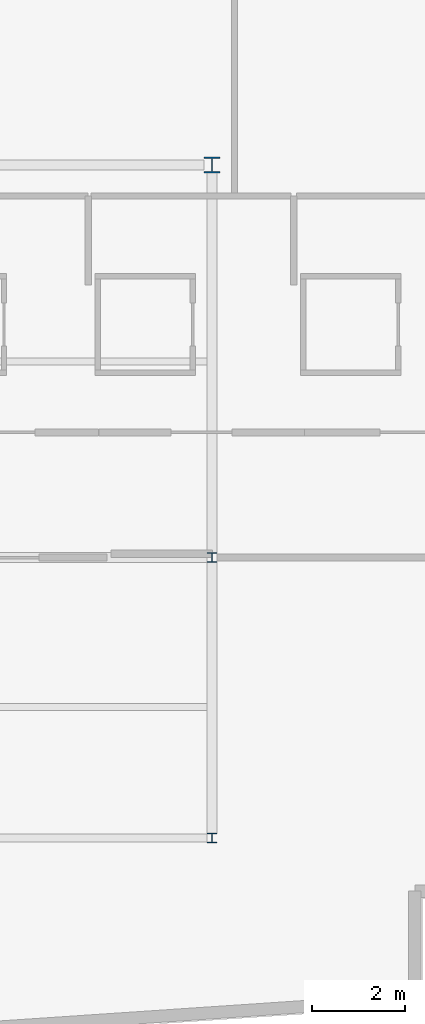
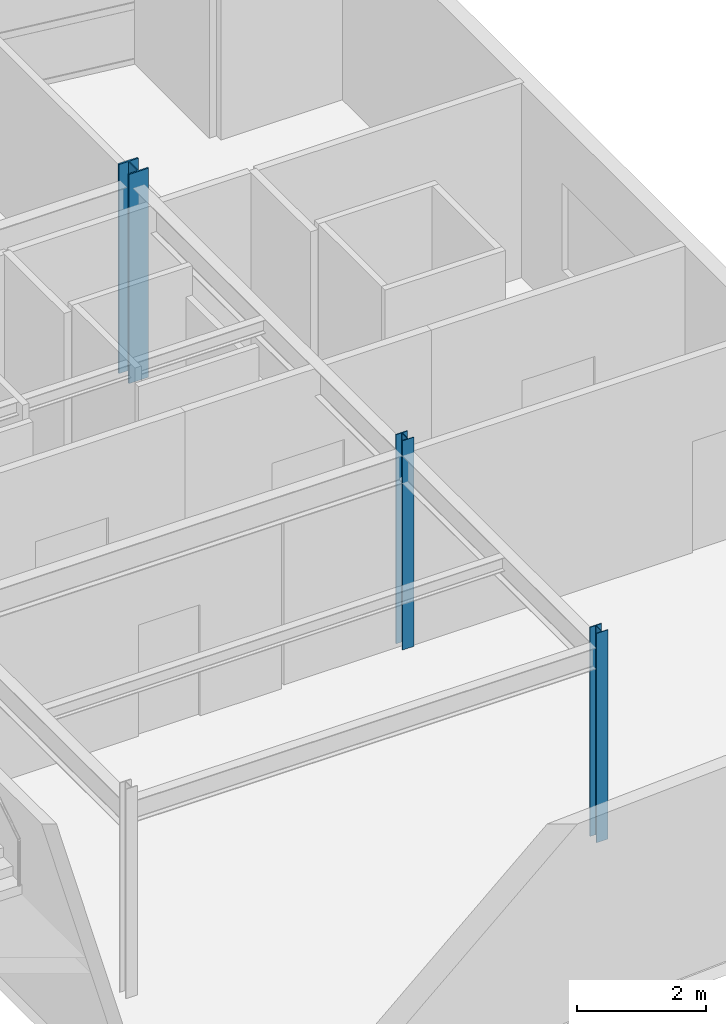
# One storey, part 3 of 15: 3 columns.
"""IFC4 building model written with IfcOpenShell, lengths in metres."""

from ifc_helpers import new_model, si_unit, direction, frame, origin, origin_2d, place, context, subcontext, project, spatial, i_section, extrude, material, material_profile, profile_set, type_object, element, save


model = new_model("IFC4")

# Units and contexts
model_context = context("Model", 3, precision=1e-05, world=origin(), true_north=direction((0.0, 1.0)))
body_context = subcontext(model_context, "Body", "Model", "MODEL_VIEW")
ifc_project = project(units=[si_unit("LENGTHUNIT", "METRE"), si_unit("AREAUNIT", "SQUARE_METRE"), si_unit("VOLUMEUNIT", "CUBIC_METRE"), si_unit("PLANEANGLEUNIT", "RADIAN"), si_unit("MASSUNIT", "GRAM", prefix="KILO")], contexts=[model_context])

# Site, building, storey
site_placement = place(None, origin())
site = spatial("IfcSite", under=ifc_project, at=site_placement, CompositionType="ELEMENT")
building_placement = place(site_placement, origin())
building = spatial("IfcBuilding", under=site, at=building_placement, Name="Varnakote Quay Hospital", CompositionType="ELEMENT")
storey_placement = place(building_placement, frame((0.0, 0.0, 300.0)))
storey = spatial("IfcBuildingStorey", under=building, at=storey_placement, Name="L74", CompositionType="ELEMENT", Elevation=300.0)

# Columns
ifc_material_1 = material(Name="Structural steel AS/NZS 3679.1 Grade 350 L0 (fy 340 MPa)", Category="steel")
ifc_material_profile_1 = material_profile(ifc_material_1, i_section(OverallWidth=0.205078125, OverallDepth=0.2099609375, WebThickness=0.00927734375, FlangeThickness=0.01416015625, FilletRadius=0.011474609375, at=origin_2d()), Name="200UC59.5")
ifc_profile_set_1 = profile_set([ifc_material_profile_1], Name="Structural steel AS/NZS 3679.1 Grade 350 L0 (fy 340 MPa)")
column_type_1 = type_object("IfcColumnType", Name="COL-STL-200UC59-5", PredefinedType="COLUMN", material=ifc_profile_set_1)
for number, where, z_axis, x_axis, name in (
    (1, (33.60009765625, 6.0, 0.0), (0.0, 0.0, 1.0), (1.0, 0.0, 0.0), "L74 Structural Column C-34-6"),
    (2, (33.60009765625, 12.0, 0.0), (0.0, 0.0, 1.0), (1.0, 0.0, 0.0), "L74 Structural Column C-34-12"),
):
    element("IfcColumn", number, at=place(storey_placement, frame(where, z_axis=z_axis, x_axis=x_axis)), inside=storey, type_object=column_type_1, Name=name, PredefinedType="COLUMN", context=body_context, shape_type="SweptSolid", body=[
        extrude(i_section(OverallWidth=0.205078125, OverallDepth=0.2099609375, WebThickness=0.00927734375, FlangeThickness=0.01416015625, FilletRadius=0.011474609375, at=origin_2d()), origin(), (0.0, 0.0, 1.0), 3.949951171875),
    ])
ifc_material_2 = material(Name="Structural steel AS/NZS 3678 Grade 350 (fy 340 MPa)", Category="steel")
ifc_material_profile_2 = material_profile(ifc_material_2, i_section(OverallWidth=0.35009765625, OverallDepth=0.340087890625, WebThickness=0.01611328125, FlangeThickness=0.028076171875, at=origin_2d()), Name="350WC197")
ifc_profile_set_2 = profile_set([ifc_material_profile_2], Name="Structural steel AS/NZS 3678 Grade 350 (fy 340 MPa)")
column_type_2 = type_object("IfcColumnType", Name="COL-STL-350WC197", PredefinedType="COLUMN", material=ifc_profile_set_2)
column_placement = place(storey_placement, frame((33.60009765625, 20.39990234375, 0.0), z_axis=(0.0, 0.0, 1.0), x_axis=(1.0, 0.0, 0.0)))
element("IfcColumn", 3, at=column_placement, inside=storey, type_object=column_type_2, Name="L74 Structural Column C-34-20", PredefinedType="COLUMN", context=body_context, shape_type="SweptSolid", body=[
    extrude(i_section(OverallWidth=0.35009765625, OverallDepth=0.340087890625, WebThickness=0.01611328125, FlangeThickness=0.028076171875, at=origin_2d()), origin(), (0.0, 0.0, 1.0), 3.949951171875),
])

save(model, "model.ifc")
